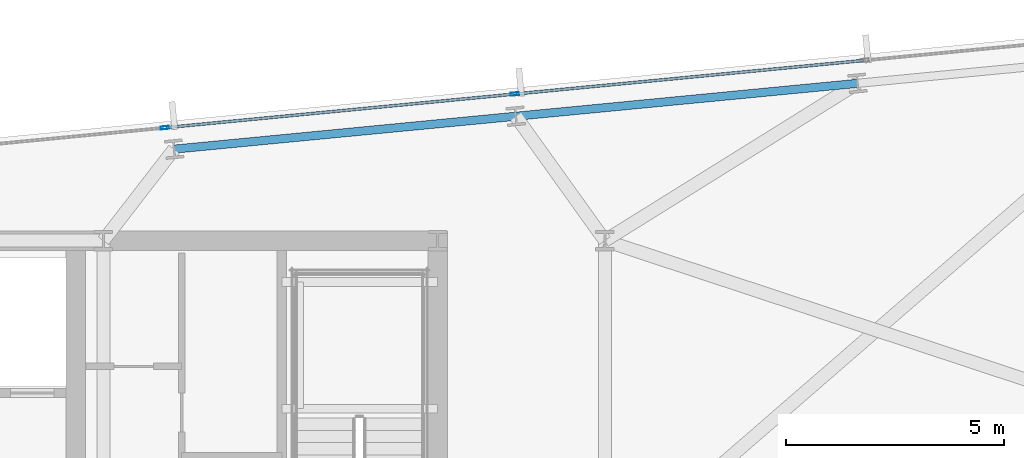
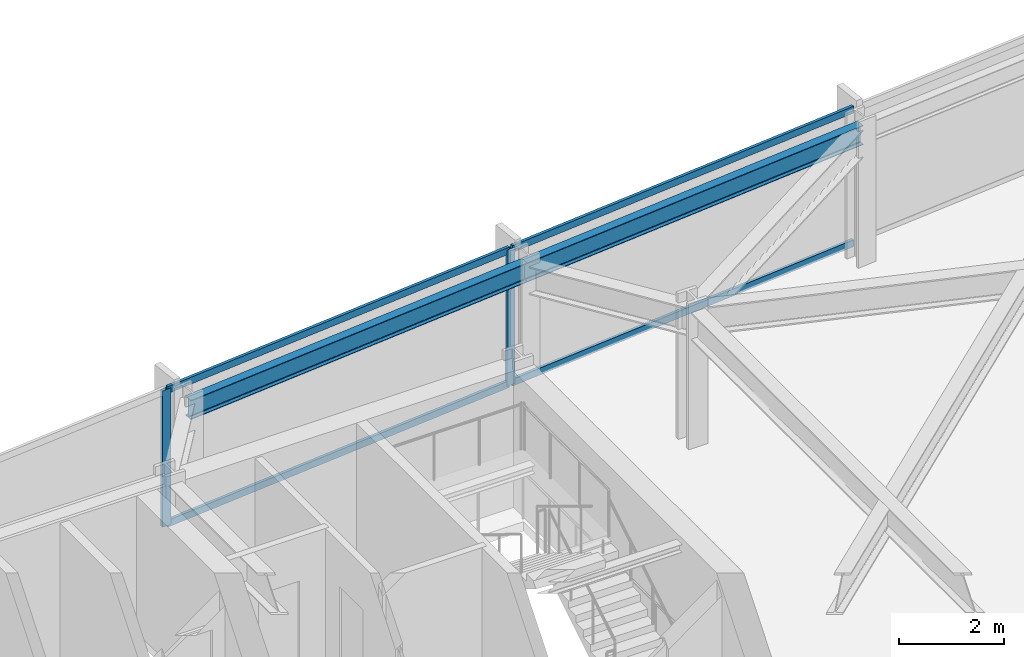
# One storey, part 21 of 32: 6 members, 2 beams, 1 element without a shape of its own.
"""IFC4 building model written with IfcOpenShell, lengths in metres."""

from ifc_helpers import new_model, si_unit, direction, frame, origin, origin_2d, place, context, subcontext, project, spatial, hollow_rectangle, i_section, extrude, material, material_profile, profile_set, type_object, element, aggregate, save


model = new_model("IFC4")

# Units and contexts
model_context = context("Model", 3, precision=1e-05, world=origin(), true_north=direction((0.0, 1.0)))
body_context = subcontext(model_context, "Body", "Model", "MODEL_VIEW")
ifc_project = project(units=[si_unit("LENGTHUNIT", "METRE"), si_unit("AREAUNIT", "SQUARE_METRE"), si_unit("VOLUMEUNIT", "CUBIC_METRE"), si_unit("PLANEANGLEUNIT", "RADIAN"), si_unit("MASSUNIT", "GRAM", prefix="KILO")], contexts=[model_context])

# Site, building, storey
site_placement = place(None, origin())
site = spatial("IfcSite", under=ifc_project, at=site_placement, CompositionType="ELEMENT")
building_placement = place(site_placement, origin())
building = spatial("IfcBuilding", under=site, at=building_placement, Name="Yelkora Congress Tower", CompositionType="ELEMENT")
storey_placement = place(building_placement, frame((0.0, 0.0, 120.300048828125)))
storey = spatial("IfcBuildingStorey", under=building, at=storey_placement, Name="L32", CompositionType="ELEMENT", Elevation=120.300048828125)

# Beams
ifc_material_1 = material(Name="Steel S355J2", Category="steel")
ifc_material_profile_1 = material_profile(ifc_material_1, i_section(OverallWidth=0.18994140625, OverallDepth=0.449951171875, WebThickness=0.009521484375, FlangeThickness=0.0146484375, FilletRadius=0.02099609375, at=origin_2d()), Name="IPE 450")
ifc_profile_set_1 = profile_set([ifc_material_profile_1], Name="Steel S355J2")
beam_type = type_object("IfcBeamType", Name="BM-SPAN-IPE450", PredefinedType="SPANDREL", material=ifc_profile_set_1)
for number, where, z_axis, x_axis, name in (
    (1, (63.4033203125, 49.81201171875, 2.954833984375), (-0.995398529126, -0.09582154358, 0.0), (0.09582154358, -0.995398529126, 0.0), "L32 Perimeter Beam 15"),
    (2, (55.553955078125, 49.056396484375, 2.954833984375), (-0.995395575667, -0.095852219286, 0.0), (0.095852219286, -0.995395575667, 0.0), "L32 Perimeter Beam 16"),
):
    element("IfcBeam", number, at=place(storey_placement, frame(where, z_axis=z_axis, x_axis=x_axis)), inside=storey, type_object=beam_type, Name=name, PredefinedType="SPANDREL", context=body_context, shape_type="SweptSolid", body=[
        extrude(i_section(OverallWidth=0.18994140625, OverallDepth=0.449951171875, WebThickness=0.009521484375, FlangeThickness=0.0146484375, FilletRadius=0.02099609375, at=origin_2d()), origin(), (0.0, 0.0, 1.0), 7.8857421875),
    ])

# Curtain wall, members
ifc_material_2 = material(Name="Anodised aluminium and insulated glass", Category="aluminium")
curtain_wall_type = type_object("IfcCurtainWallType", Name="CW-SYS-B2", PredefinedType="NOTDEFINED", material=ifc_material_2)
curtain_wall_placement = place(storey_placement, origin())
curtain_wall = element("IfcCurtainWall", 3, at=curtain_wall_placement, inside=storey, type_object=curtain_wall_type, Name="L32 Unitised Curtain Wall 10 (3)", PredefinedType="NOTDEFINED")
ifc_material_3 = material(Name="Anodised aluminium 6063-T6", Category="aluminium")
ifc_material_profile_2 = material_profile(ifc_material_3, hollow_rectangle(XDim=0.070068359375, YDim=0.18994140625, WallThickness=0.00390625, at=origin_2d()), Name="ALU 70x190x4")
ifc_profile_set_2 = profile_set([ifc_material_profile_2], Name="Anodised aluminium 6063-T6")
member_type_1 = type_object("IfcMemberType", Name="MEM-ML-B2", PredefinedType="MULLION", material=ifc_profile_set_2)
member_1_placement = place(storey_placement, frame((47.491943359375, 48.79248046875, 0.0), z_axis=(0.0, 0.0, 1.0), x_axis=(-0.095844238468, 0.995396344153, 0.0)))
member_1 = element("IfcMember", 4, at=member_1_placement, type_object=member_type_1, Name="CW-B2 mullion 4", PredefinedType="MULLION", context=body_context, shape_type="SweptSolid", body=[
    extrude(hollow_rectangle(XDim=0.070068359375, YDim=0.18994140625, WallThickness=0.00390625, at=origin_2d()), origin(), (0.0, 0.0, 1.0), 3.179931640625),
])
member_2_placement = place(storey_placement, frame((55.531982421875, 49.566650390625, 0.0), z_axis=(0.0, 0.0, 1.0), x_axis=(-0.095844238468, 0.995396344153, 0.0)))
member_2 = element("IfcMember", 5, at=member_2_placement, type_object=member_type_1, Name="CW-B2 mullion 5", PredefinedType="MULLION", context=body_context, shape_type="SweptSolid", body=[
    extrude(hollow_rectangle(XDim=0.070068359375, YDim=0.18994140625, WallThickness=0.00390625, at=origin_2d()), origin(), (0.0, 0.0, 1.0), 3.179931640625),
])
ifc_material_profile_3 = material_profile(ifc_material_3, hollow_rectangle(XDim=0.06494140625, YDim=0.159912109375, WallThickness=0.00390625, at=origin_2d()), Name="ALU 65x160x4")
ifc_profile_set_3 = profile_set([ifc_material_profile_3], Name="Anodised aluminium 6063-T6")
member_type_2 = type_object("IfcMemberType", Name="MEM-TR-B2", PredefinedType="USERDEFINED", material=ifc_profile_set_3)
member_3_placement = place(storey_placement, frame((47.52685546875, 48.7958984375, 0.032470703125), z_axis=(0.995397513894, 0.095832089266, 0.0), x_axis=(-0.095832089266, 0.995397513894, 0.0)))
member_3 = element("IfcMember", 6, at=member_3_placement, type_object=member_type_2, Name="CW-B2 transom 4.1", ObjectType="TRANSOM", PredefinedType="USERDEFINED", context=body_context, shape_type="SweptSolid", body=[
    extrude(hollow_rectangle(XDim=0.06494140625, YDim=0.159912109375, WallThickness=0.00390625, at=origin_2d()), origin(), (0.0, 0.0, 1.0), 8.007080078125),
])
member_4_placement = place(storey_placement, frame((47.52685546875, 48.7958984375, 3.1474609375), z_axis=(0.995397513894, 0.095832089266, 0.0), x_axis=(-0.095832089266, 0.995397513894, 0.0)))
member_4 = element("IfcMember", 7, at=member_4_placement, type_object=member_type_2, Name="CW-B2 transom 4.2", ObjectType="TRANSOM", PredefinedType="USERDEFINED", context=body_context, shape_type="SweptSolid", body=[
    extrude(hollow_rectangle(XDim=0.06494140625, YDim=0.159912109375, WallThickness=0.00390625, at=origin_2d()), origin(), (0.0, 0.0, 1.0), 8.007080078125),
])
member_5_placement = place(storey_placement, frame((55.566650390625, 49.570068359375, 0.032470703125), z_axis=(0.995397793901, 0.09582918082, 0.0), x_axis=(-0.09582918082, 0.995397793901, 0.0)))
member_5 = element("IfcMember", 8, at=member_5_placement, type_object=member_type_2, Name="CW-B2 transom 5.1", ObjectType="TRANSOM", PredefinedType="USERDEFINED", context=body_context, shape_type="SweptSolid", body=[
    extrude(hollow_rectangle(XDim=0.06494140625, YDim=0.159912109375, WallThickness=0.00390625, at=origin_2d()), origin(), (0.0, 0.0, 1.0), 8.00732421875),
])
member_6_placement = place(storey_placement, frame((55.566650390625, 49.570068359375, 3.1474609375), z_axis=(0.995397793901, 0.09582918082, 0.0), x_axis=(-0.09582918082, 0.995397793901, 0.0)))
member_6 = element("IfcMember", 9, at=member_6_placement, type_object=member_type_2, Name="CW-B2 transom 5.2", ObjectType="TRANSOM", PredefinedType="USERDEFINED", context=body_context, shape_type="SweptSolid", body=[
    extrude(hollow_rectangle(XDim=0.06494140625, YDim=0.159912109375, WallThickness=0.00390625, at=origin_2d()), origin(), (0.0, 0.0, 1.0), 8.00732421875),
])
aggregate(curtain_wall, [member_1, member_2, member_3, member_4, member_5, member_6])

save(model, "model.ifc")
